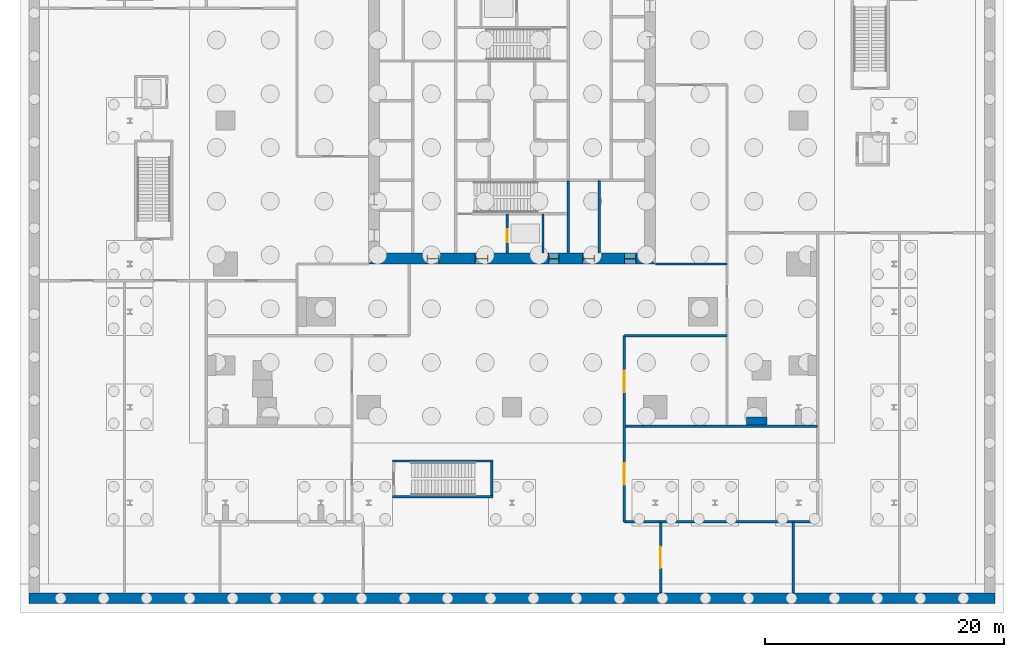
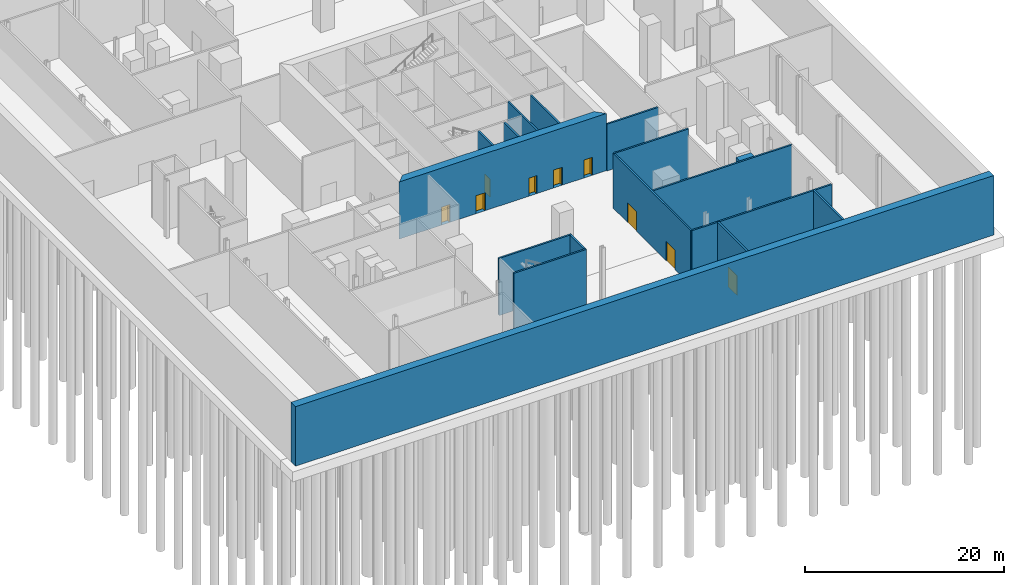
# One storey, part 6 of 15: 17 walls, 9 doors, 9 openings.
"""IFC4 building model written with IfcOpenShell, lengths in metres."""

from ifc_helpers import new_model, si_unit, direction, frame, frame_2d, origin, place, context, subcontext, project, spatial, polyline, rectangle, outline, extrude, material, layer, layer_set, type_object, element, fill, save


model = new_model("IFC4")

# Units and contexts
model_context = context("Model", 3, precision=1e-05, world=origin(), true_north=direction((0.0, 1.0)))
body_context = subcontext(model_context, "Body", "Model", "MODEL_VIEW")
ifc_project = project(units=[si_unit("LENGTHUNIT", "METRE"), si_unit("AREAUNIT", "SQUARE_METRE"), si_unit("VOLUMEUNIT", "CUBIC_METRE"), si_unit("PLANEANGLEUNIT", "RADIAN"), si_unit("MASSUNIT", "GRAM", prefix="KILO")], contexts=[model_context])

# Site, building, storey
site_placement = place(None, origin())
site = spatial("IfcSite", under=ifc_project, at=site_placement, CompositionType="ELEMENT")
building_placement = place(site_placement, origin())
building = spatial("IfcBuilding", under=site, at=building_placement, Name="Fenwick Lantern Interchange", CompositionType="ELEMENT")
storey_placement = place(building_placement, frame((0.0, 0.0, -7.0)))
storey = spatial("IfcBuildingStorey", under=building, at=storey_placement, Name="B-1", CompositionType="ELEMENT", Elevation=-7.0)

# Walls
ifc_material_1 = material(Name="Concrete f'c 45 MPa", Category="concrete")
ifc_layer_1 = layer(ifc_material_1, 0.89990234375)
ifc_layer_set_1 = layer_set([ifc_layer_1], Name="BASEMENT RETAINING WALL 900")
wall_type_1 = type_object("IfcWallType", Name="BASEMENT RETAINING WALL 900", PredefinedType="SOLIDWALL", material=ifc_layer_set_1)
wall_1_placement = place(storey_placement, frame((-15.449951171875, -15.0, -0.60009765625), z_axis=(0.0, 0.0, 1.0), x_axis=(1.0, 0.0, 0.0)))
element("IfcWall", 1, at=wall_1_placement, inside=storey, type_object=wall_type_1, Name="B-1/RW/S", PredefinedType="SOLIDWALL", context=body_context, shape_type="SweptSolid", body=[
    extrude(rectangle(XDim=80.89990234375, YDim=0.89990234375, at=frame_2d((40.449951171875, 0.0))), origin(), (0.0, 0.0, 1.0), 7.300048828125),
])
ifc_material_2 = material(Name="Fire-rated gypsum board encasement on steel studs, 2 hour", Category="steel")
ifc_layer_2 = layer(ifc_material_2, 1.699951171875)
ifc_layer_set_2 = layer_set([ifc_layer_2], Name="COLUMN PIER 1700")
wall_type_2 = type_object("IfcWallType", Name="COLUMN PIER 1700", PredefinedType="PARTITIONING", material=ifc_layer_set_2)
wall_2_placement = place(storey_placement, frame((45.5, -0.5, 0.0), z_axis=(0.0, 0.0, 1.0), x_axis=(0.0, 1.0, 0.0)))
element("IfcWall", 2, at=wall_2_placement, inside=storey, type_object=wall_type_2, Name="B-1/W/PIER/CS5", PredefinedType="PARTITIONING", context=body_context, shape_type="SweptSolid", body=[
    extrude(rectangle(XDim=0.699951171875, YDim=1.699951171875, at=frame_2d((0.35009765625, 0.0))), origin(), (0.0, 0.0, 1.0), 6.699951171875),
])

# Wall, opening, door
ifc_material_3 = material(Name="Concrete masonry ASTM C90 Grade N", Category="masonry")
ifc_layer_3 = layer(ifc_material_3, 0.199951171875)
ifc_layer_set_3 = layer_set([ifc_layer_3], Name="Concrete masonry ASTM C90 Grade N")
wall_type_3 = type_object("IfcWallType", Name="CORE PARTITION 200", PredefinedType="PARTITIONING", material=ifc_layer_set_3)
wall_3_placement = place(storey_placement, frame((24.60009765625, 13.89990234375, 0.0), z_axis=(0.0, 0.0, 1.0), x_axis=(0.0, 1.0, 0.0)))
wall_3 = element("IfcWall", 3, at=wall_3_placement, inside=storey, type_object=wall_type_3, Name="B-1/W/CORES/h1", PredefinedType="PARTITIONING", context=body_context, shape_type="SweptSolid", body=[
    extrude(rectangle(XDim=3.300048828125, YDim=0.199951171875, at=frame_2d((1.64990234375, 0.0))), origin(), (0.0, 0.0, 1.0), 6.699951171875),
])
opening_1_placement = place(wall_3_placement, frame((0.89990234375, 0.0, 0.0)))
opening_1 = element("IfcOpeningElement", 4, at=opening_1_placement, cuts=wall_3, Name="Opening LD-FL1", PredefinedType="OPENING", context=body_context, shape_type="SweptSolid", body=[
    extrude(rectangle(XDim=1.10009765625, YDim=2.199951171875, at=frame_2d((0.550048828125, 1.10009765625))), frame((0.0, 0.10986328125, 0.0), z_axis=(0.0, -1.0, 0.0), x_axis=(1.0, 0.0, 0.0)), (0.0, 0.0, 1.0), 0.219970703125),
])
ifc_material_4 = material(Name="Steel door and frame", Category="steel")
door_type_1 = type_object("IfcDoorType", Name="LIFT LANDING DOOR 1100 X 2200", OperationType="DOUBLE_DOOR_SLIDING", PredefinedType="DOOR", material=ifc_material_4)
door_1_placement = place(opening_1_placement, origin())
door_1 = element("IfcDoor", 5, at=door_1_placement, inside=storey, type_object=door_type_1, Name="Lift landing door FL1", OperationType="DOUBLE_DOOR_SLIDING", OverallHeight=2.199951171875, OverallWidth=1.10009765625, PredefinedType="DOOR", context=body_context, shape_type="SweptSolid", body=[
    extrude(rectangle(XDim=1.10009765625, YDim=2.199951171875, at=frame_2d((0.550048828125, 1.10009765625))), frame((0.0, 0.02490234375, 0.0), z_axis=(0.0, -1.0, 0.0), x_axis=(1.0, 0.0, 0.0)), (0.0, 0.0, 1.0), 0.050048828125),
])
fill(opening_1, door_1)

# Walls
wall_4_placement = place(storey_placement, frame((27.60009765625, 13.89990234375, 0.0), z_axis=(0.0, 0.0, 1.0), x_axis=(0.0, 1.0, 0.0)))
element("IfcWall", 6, at=wall_4_placement, inside=storey, type_object=wall_type_3, Name="B-1/W/CORES/h2", PredefinedType="PARTITIONING", context=body_context, shape_type="SweptSolid", body=[
    extrude(rectangle(XDim=3.300048828125, YDim=0.199951171875, at=frame_2d((1.64990234375, 0.0))), origin(), (0.0, 0.0, 1.0), 6.699951171875),
])
wall_5_placement = place(storey_placement, frame((32.300048828125, 13.89990234375, 0.0), z_axis=(0.0, 0.0, 1.0), x_axis=(0.0, 1.0, 0.0)))
element("IfcWall", 7, at=wall_5_placement, inside=storey, type_object=wall_type_3, Name="B-1/W/CORES/i2", PredefinedType="PARTITIONING", context=body_context, shape_type="SweptSolid", body=[
    extrude(rectangle(XDim=6.10009765625, YDim=0.199951171875, at=frame_2d((3.050048828125, 0.0))), origin(), (0.0, 0.0, 1.0), 6.699951171875),
])

# Wall, openings, doors
ifc_material_5 = material(Name="Concrete f'c 70 MPa", Category="concrete")
ifc_layer_4 = layer(ifc_material_5, 0.89990234375)
ifc_layer_set_4 = layer_set([ifc_layer_4], Name="CORE WALL 900")
wall_type_4 = type_object("IfcWallType", Name="CORE WALL 900", PredefinedType="SHEAR", material=ifc_layer_set_4)
wall_6_placement = place(storey_placement, frame((13.0, 13.449951171875, 0.0), z_axis=(0.0, 0.0, 1.0), x_axis=(1.0, 0.0, 0.0)))
wall_6 = element("IfcWall", 8, at=wall_6_placement, inside=storey, type_object=wall_type_4, Name="B-1/CORE/S", PredefinedType="SHEAR", context=body_context, shape_type="SweptSolid", body=[
    extrude(outline(polyline([(0.0, -0.449951171875), (24.0, -0.449951171875), (23.10009765625, 0.449951171875), (0.89990234375, 0.449951171875), (0.0, -0.449951171875)])), origin(), (0.0, 0.0, 1.0), 7.0),
])
opening_2_placement = place(wall_6_placement, frame((4.89990234375, 0.0, 0.0)))
opening_2 = element("IfcOpeningElement", 9, at=opening_2_placement, cuts=wall_6, Name="Opening B-1-D001", PredefinedType="OPENING", context=body_context, shape_type="SweptSolid", body=[
    extrude(rectangle(XDim=1.0, YDim=2.199951171875, at=frame_2d((0.5, 1.10009765625))), frame((0.0, 0.4599609375, 0.0), z_axis=(0.0, -1.0, 0.0), x_axis=(1.0, 0.0, 0.0)), (0.0, 0.0, 1.0), 0.919921875),
])
opening_3_placement = place(wall_6_placement, frame((8.89990234375, 0.0, 0.0)))
opening_3 = element("IfcOpeningElement", 10, at=opening_3_placement, cuts=wall_6, Name="Opening B-1-D002", PredefinedType="OPENING", context=body_context, shape_type="SweptSolid", body=[
    extrude(rectangle(XDim=1.10009765625, YDim=2.199951171875, at=frame_2d((0.550048828125, 1.10009765625))), frame((0.0, 0.4599609375, 0.0), z_axis=(0.0, -1.0, 0.0), x_axis=(1.0, 0.0, 0.0)), (0.0, 0.0, 1.0), 0.919921875),
])
opening_4_placement = place(wall_6_placement, frame((15.050048828125, 0.0, 0.0)))
opening_4 = element("IfcOpeningElement", 11, at=opening_4_placement, cuts=wall_6, Name="Opening B-1-D004", PredefinedType="OPENING", context=body_context, shape_type="SweptSolid", body=[
    extrude(rectangle(XDim=0.89990234375, YDim=2.199951171875, at=frame_2d((0.449951171875, 1.10009765625))), frame((0.0, 0.4599609375, 0.0), z_axis=(0.0, -1.0, 0.0), x_axis=(1.0, 0.0, 0.0)), (0.0, 0.0, 1.0), 0.919921875),
])
opening_5_placement = place(wall_6_placement, frame((17.89990234375, 0.0, 0.0)))
opening_5 = element("IfcOpeningElement", 12, at=opening_5_placement, cuts=wall_6, Name="Opening B-1-D005", PredefinedType="OPENING", context=body_context, shape_type="SweptSolid", body=[
    extrude(rectangle(XDim=1.0, YDim=2.199951171875, at=frame_2d((0.5, 1.10009765625))), frame((0.0, 0.4599609375, 0.0), z_axis=(0.0, -1.0, 0.0), x_axis=(1.0, 0.0, 0.0)), (0.0, 0.0, 1.0), 0.919921875),
])
opening_6_placement = place(wall_6_placement, frame((21.39990234375, 0.0, 0.0)))
opening_6 = element("IfcOpeningElement", 13, at=opening_6_placement, cuts=wall_6, Name="Opening B-1-D006", PredefinedType="OPENING", context=body_context, shape_type="SweptSolid", body=[
    extrude(rectangle(XDim=1.0, YDim=2.199951171875, at=frame_2d((0.5, 1.10009765625))), frame((0.0, 0.4599609375, 0.0), z_axis=(0.0, -1.0, 0.0), x_axis=(1.0, 0.0, 0.0)), (0.0, 0.0, 1.0), 0.919921875),
])
door_type_2 = type_object("IfcDoorType", Name="CORE LOBBY DOOR 1000 X 2200", OperationType="SINGLE_SWING_LEFT", PredefinedType="DOOR", material=ifc_material_4)
door_2_placement = place(opening_2_placement, origin())
door_2 = element("IfcDoor", 14, at=door_2_placement, inside=storey, type_object=door_type_2, Name="Core lobby door", OperationType="SINGLE_SWING_LEFT", OverallHeight=2.199951171875, OverallWidth=1.0, PredefinedType="DOOR", context=body_context, shape_type="SweptSolid", body=[
    extrude(rectangle(XDim=1.0, YDim=2.199951171875, at=frame_2d((0.5, 1.10009765625))), frame((0.0, 0.02490234375, 0.0), z_axis=(0.0, -1.0, 0.0), x_axis=(1.0, 0.0, 0.0)), (0.0, 0.0, 1.0), 0.050048828125),
    extrude(outline(polyline([(0.0, 0.0), (0.0400390625, 0.0), (0.0400390625, 2.159912109375), (0.9599609375, 2.159912109375), (0.9599609375, 0.0), (1.0, 0.0), (1.0, 2.199951171875), (0.0, 2.199951171875), (0.0, 0.0)])), frame((0.0, 0.300048828125, 0.0), z_axis=(0.0, -1.0, 0.0), x_axis=(1.0, 0.0, 0.0)), (0.0, 0.0, 1.0), 0.60009765625),
])
fill(opening_2, door_2)
door_type_3 = type_object("IfcDoorType", Name="FIRE LOBBY DOOR 1100 X 2200", OperationType="SINGLE_SWING_LEFT", PredefinedType="DOOR", material=ifc_material_4)
door_3_placement = place(opening_3_placement, origin())
door_3 = element("IfcDoor", 15, at=door_3_placement, inside=storey, type_object=door_type_3, Name="Fire lobby door", OperationType="SINGLE_SWING_LEFT", OverallHeight=2.199951171875, OverallWidth=1.10009765625, PredefinedType="DOOR", context=body_context, shape_type="SweptSolid", body=[
    extrude(rectangle(XDim=1.10009765625, YDim=2.199951171875, at=frame_2d((0.550048828125, 1.10009765625))), frame((0.0, 0.02490234375, 0.0), z_axis=(0.0, -1.0, 0.0), x_axis=(1.0, 0.0, 0.0)), (0.0, 0.0, 1.0), 0.050048828125),
    extrude(outline(polyline([(0.0, 0.0), (0.0400390625, 0.0), (0.0400390625, 2.159912109375), (1.06005859375, 2.159912109375), (1.06005859375, 0.0), (1.10009765625, 0.0), (1.10009765625, 2.199951171875), (0.0, 2.199951171875), (0.0, 0.0)])), frame((0.0, 0.300048828125, 0.0), z_axis=(0.0, -1.0, 0.0), x_axis=(1.0, 0.0, 0.0)), (0.0, 0.0, 1.0), 0.60009765625),
])
fill(opening_3, door_3)
door_type_4 = type_object("IfcDoorType", Name="SERVICE DOOR 900 X 2200", OperationType="SINGLE_SWING_LEFT", PredefinedType="DOOR", material=ifc_material_4)
door_4_placement = place(opening_4_placement, origin())
door_4 = element("IfcDoor", 16, at=door_4_placement, inside=storey, type_object=door_type_4, Name="Service door", OperationType="SINGLE_SWING_LEFT", OverallHeight=2.199951171875, OverallWidth=0.89990234375, PredefinedType="DOOR", context=body_context, shape_type="SweptSolid", body=[
    extrude(rectangle(XDim=0.89990234375, YDim=2.199951171875, at=frame_2d((0.449951171875, 1.10009765625))), frame((0.0, 0.02490234375, 0.0), z_axis=(0.0, -1.0, 0.0), x_axis=(1.0, 0.0, 0.0)), (0.0, 0.0, 1.0), 0.050048828125),
    extrude(outline(polyline([(0.0, 0.0), (0.0400390625, 0.0), (0.0400390625, 2.159912109375), (0.85986328125, 2.159912109375), (0.85986328125, 0.0), (0.89990234375, 0.0), (0.89990234375, 2.199951171875), (0.0, 2.199951171875), (0.0, 0.0)])), frame((0.0, 0.300048828125, 0.0), z_axis=(0.0, -1.0, 0.0), x_axis=(1.0, 0.0, 0.0)), (0.0, 0.0, 1.0), 0.60009765625),
])
fill(opening_4, door_4)
ifc_material_6 = material(Name="Hardwood door and steel frame", Category="steel")
door_type_5 = type_object("IfcDoorType", Name="WC DOOR 1000 X 2200", OperationType="SINGLE_SWING_LEFT", PredefinedType="DOOR", material=ifc_material_6)
door_5_placement = place(opening_5_placement, origin())
door_5 = element("IfcDoor", 17, at=door_5_placement, inside=storey, type_object=door_type_5, Name="Wc door", OperationType="SINGLE_SWING_RIGHT", OverallHeight=2.199951171875, OverallWidth=1.0, PredefinedType="DOOR", context=body_context, shape_type="SweptSolid", body=[
    extrude(rectangle(XDim=1.0, YDim=2.199951171875, at=frame_2d((0.5, 1.10009765625))), frame((0.0, 0.02490234375, 0.0), z_axis=(0.0, -1.0, 0.0), x_axis=(1.0, 0.0, 0.0)), (0.0, 0.0, 1.0), 0.050048828125),
    extrude(outline(polyline([(0.0, 0.0), (0.0400390625, 0.0), (0.0400390625, 2.159912109375), (0.9599609375, 2.159912109375), (0.9599609375, 0.0), (1.0, 0.0), (1.0, 2.199951171875), (0.0, 2.199951171875), (0.0, 0.0)])), frame((0.0, 0.300048828125, 0.0), z_axis=(0.0, -1.0, 0.0), x_axis=(1.0, 0.0, 0.0)), (0.0, 0.0, 1.0), 0.60009765625),
])
fill(opening_5, door_5)
door_6_placement = place(opening_6_placement, origin())
door_6 = element("IfcDoor", 18, at=door_6_placement, inside=storey, type_object=door_type_5, Name="Wc door", OperationType="SINGLE_SWING_RIGHT", OverallHeight=2.199951171875, OverallWidth=1.0, PredefinedType="DOOR", context=body_context, shape_type="SweptSolid", body=[
    extrude(rectangle(XDim=1.0, YDim=2.199951171875, at=frame_2d((0.5, 1.10009765625))), frame((0.0, 0.02490234375, 0.0), z_axis=(0.0, -1.0, 0.0), x_axis=(1.0, 0.0, 0.0)), (0.0, 0.0, 1.0), 0.050048828125),
    extrude(outline(polyline([(0.0, 0.0), (0.0400390625, 0.0), (0.0400390625, 2.159912109375), (0.9599609375, 2.159912109375), (0.9599609375, 0.0), (1.0, 0.0), (1.0, 2.199951171875), (0.0, 2.199951171875), (0.0, 0.0)])), frame((0.0, 0.300048828125, 0.0), z_axis=(0.0, -1.0, 0.0), x_axis=(1.0, 0.0, 0.0)), (0.0, 0.0, 1.0), 0.60009765625),
])
fill(opening_6, door_6)

ifc_material_7 = material(Name="Gypsum board on steel studs, 1 hour", Category="steel")
ifc_layer_5 = layer(ifc_material_7, 0.199951171875)
ifc_layer_set_5 = layer_set([ifc_layer_5], Name="ROOM WALL 200")
wall_type_5 = type_object("IfcWallType", Name="ROOM WALL 200", PredefinedType="PARTITIONING", material=ifc_layer_set_5)
wall_7_placement = place(storey_placement, frame((34.39990234375, -8.60009765625, 0.0), z_axis=(0.0, 0.0, 1.0), x_axis=(0.0, 1.0, 0.0)))
wall_7 = element("IfcWall", 19, at=wall_7_placement, inside=storey, type_object=wall_type_5, Name="B-1/W/POD/X34.4-1", PredefinedType="PARTITIONING", context=body_context, shape_type="SweptSolid", body=[
    extrude(rectangle(XDim=15.60009765625, YDim=0.199951171875, at=frame_2d((7.800048828125, 0.0))), origin(), (0.0, 0.0, 1.0), 6.699951171875),
])
opening_7_placement = place(wall_7_placement, frame((3.125, 0.0, 0.0)))
opening_7 = element("IfcOpeningElement", 20, at=opening_7_placement, cuts=wall_7, Name="Opening B-1-D028", PredefinedType="OPENING", context=body_context, shape_type="SweptSolid", body=[
    extrude(rectangle(XDim=1.800048828125, YDim=2.39990234375, at=frame_2d((0.89990234375, 1.199951171875))), frame((0.0, 0.10986328125, 0.0), z_axis=(0.0, -1.0, 0.0), x_axis=(1.0, 0.0, 0.0)), (0.0, 0.0, 1.0), 0.219970703125),
])
opening_8_placement = place(wall_7_placement, frame((10.875, 0.0, 0.0)))
opening_8 = element("IfcOpeningElement", 21, at=opening_8_placement, cuts=wall_7, Name="Opening B-1-D029", PredefinedType="OPENING", context=body_context, shape_type="SweptSolid", body=[
    extrude(rectangle(XDim=1.800048828125, YDim=2.39990234375, at=frame_2d((0.89990234375, 1.199951171875))), frame((0.0, 0.10986328125, 0.0), z_axis=(0.0, -1.0, 0.0), x_axis=(1.0, 0.0, 0.0)), (0.0, 0.0, 1.0), 0.219970703125),
])
door_type_6 = type_object("IfcDoorType", Name="ROOM DOOR PAIR 1800 X 2400", OperationType="DOUBLE_DOOR_SINGLE_SWING", PredefinedType="DOOR", material=ifc_material_4)
door_7_placement = place(opening_7_placement, origin())
door_7 = element("IfcDoor", 22, at=door_7_placement, inside=storey, type_object=door_type_6, Name="Room door pair", OperationType="DOUBLE_DOOR_SINGLE_SWING", OverallHeight=2.39990234375, OverallWidth=1.800048828125, PredefinedType="DOOR", context=body_context, shape_type="SweptSolid", body=[
    extrude(rectangle(XDim=1.800048828125, YDim=2.39990234375, at=frame_2d((0.89990234375, 1.199951171875))), frame((0.0, 0.02490234375, 0.0), z_axis=(0.0, -1.0, 0.0), x_axis=(1.0, 0.0, 0.0)), (0.0, 0.0, 1.0), 0.050048828125),
])
fill(opening_7, door_7)
door_8_placement = place(opening_8_placement, origin())
door_8 = element("IfcDoor", 23, at=door_8_placement, inside=storey, type_object=door_type_6, Name="Room door pair", OperationType="DOUBLE_DOOR_SINGLE_SWING", OverallHeight=2.39990234375, OverallWidth=1.800048828125, PredefinedType="DOOR", context=body_context, shape_type="SweptSolid", body=[
    extrude(rectangle(XDim=1.800048828125, YDim=2.39990234375, at=frame_2d((0.89990234375, 1.199951171875))), frame((0.0, 0.02490234375, 0.0), z_axis=(0.0, -1.0, 0.0), x_axis=(1.0, 0.0, 0.0)), (0.0, 0.0, 1.0), 0.050048828125),
])
fill(opening_8, door_8)

# Wall, opening, door
wall_8_placement = place(storey_placement, frame((37.449951171875, -14.550048828125, 0.0), z_axis=(0.0, 0.0, 1.0), x_axis=(0.0, 1.0, 0.0)))
wall_8 = element("IfcWall", 24, at=wall_8_placement, inside=storey, type_object=wall_type_5, Name="B-1/W/POD/X37.45-1", PredefinedType="PARTITIONING", context=body_context, shape_type="SweptSolid", body=[
    extrude(rectangle(XDim=5.949951171875, YDim=0.199951171875, at=frame_2d((2.97509765625, 0.0))), origin(), (0.0, 0.0, 1.0), 6.699951171875),
])
opening_9_placement = place(wall_8_placement, frame((2.074951171875, 0.0, 0.0)))
opening_9 = element("IfcOpeningElement", 25, at=opening_9_placement, cuts=wall_8, Name="Opening B-1-D027", PredefinedType="OPENING", context=body_context, shape_type="SweptSolid", body=[
    extrude(rectangle(XDim=1.800048828125, YDim=2.39990234375, at=frame_2d((0.89990234375, 1.199951171875))), frame((0.0, 0.10986328125, 0.0), z_axis=(0.0, -1.0, 0.0), x_axis=(1.0, 0.0, 0.0)), (0.0, 0.0, 1.0), 0.219970703125),
])
door_9_placement = place(opening_9_placement, origin())
door_9 = element("IfcDoor", 26, at=door_9_placement, inside=storey, type_object=door_type_6, Name="Room door pair", OperationType="DOUBLE_DOOR_SINGLE_SWING", OverallHeight=2.39990234375, OverallWidth=1.800048828125, PredefinedType="DOOR", context=body_context, shape_type="SweptSolid", body=[
    extrude(rectangle(XDim=1.800048828125, YDim=2.39990234375, at=frame_2d((0.89990234375, 1.199951171875))), frame((0.0, 0.02490234375, 0.0), z_axis=(0.0, -1.0, 0.0), x_axis=(1.0, 0.0, 0.0)), (0.0, 0.0, 1.0), 0.050048828125),
])
fill(opening_9, door_9)

# Walls
wall_9_placement = place(storey_placement, frame((48.550048828125, -14.550048828125, 0.0), z_axis=(0.0, 0.0, 1.0), x_axis=(0.0, 1.0, 0.0)))
element("IfcWall", 27, at=wall_9_placement, inside=storey, type_object=wall_type_5, Name="B-1/W/POD/X48.55-1", PredefinedType="PARTITIONING", context=body_context, shape_type="SweptSolid", body=[
    extrude(rectangle(XDim=5.949951171875, YDim=0.199951171875, at=frame_2d((2.97509765625, 0.0))), origin(), (0.0, 0.0, 1.0), 6.699951171875),
])
for number, where, z_axis, x_axis, name in (
    (28, (34.39990234375, -8.60009765625, 0.0), (0.0, 0.0, 1.0), (1.0, 0.0, 0.0), "B-1/W/POD/Y-8.6-2"),
    (29, (34.39990234375, -0.60009765625, 0.0), (0.0, 0.0, 1.0), (1.0, 0.0, 0.0), "B-1/W/POD/Y-0.6-2"),
):
    element("IfcWall", number, at=place(storey_placement, frame(where, z_axis=z_axis, x_axis=x_axis)), inside=storey, type_object=wall_type_5, Name=name, PredefinedType="PARTITIONING", context=body_context, shape_type="SweptSolid", body=[
        extrude(rectangle(XDim=16.2001953125, YDim=0.199951171875, at=frame_2d((8.10009765625, 0.0))), origin(), (0.0, 0.0, 1.0), 6.699951171875),
    ])
wall_10_placement = place(storey_placement, frame((34.39990234375, 7.0, 0.0), z_axis=(0.0, 0.0, 1.0), x_axis=(1.0, 0.0, 0.0)))
element("IfcWall", 30, at=wall_10_placement, inside=storey, type_object=wall_type_5, Name="B-1/W/POD/Y7-2", PredefinedType="PARTITIONING", context=body_context, shape_type="SweptSolid", body=[
    extrude(rectangle(XDim=8.60009765625, YDim=0.199951171875, at=frame_2d((4.300048828125, 0.0))), origin(), (0.0, 0.0, 1.0), 6.699951171875),
])
wall_11_placement = place(storey_placement, frame((37.0, 13.0, 0.0), z_axis=(0.0, 0.0, 1.0), x_axis=(1.0, 0.0, 0.0)))
element("IfcWall", 31, at=wall_11_placement, inside=storey, type_object=wall_type_5, Name="B-1/W/POD/Y13-2", PredefinedType="PARTITIONING", context=body_context, shape_type="SweptSolid", body=[
    extrude(rectangle(XDim=6.0, YDim=0.199951171875, at=frame_2d((3.0, 0.0))), origin(), (0.0, 0.0, 1.0), 5.724609375),
])
ifc_layer_6 = layer(ifc_material_1, 0.199951171875)
ifc_layer_set_6 = layer_set([ifc_layer_6], Name="STAIR CORE WALL 200")
wall_type_6 = type_object("IfcWallType", Name="STAIR CORE WALL 200", PredefinedType="SOLIDWALL", material=ifc_layer_set_6)
wall_12_placement = place(storey_placement, frame((29.699951171875, 13.89990234375, 0.0), z_axis=(0.0, 0.0, 1.0), x_axis=(0.0, 1.0, 0.0)))
element("IfcWall", 32, at=wall_12_placement, inside=storey, type_object=wall_type_6, Name="B-1/W/CORES/i1", PredefinedType="SOLIDWALL", context=body_context, shape_type="SweptSolid", body=[
    extrude(rectangle(XDim=6.10009765625, YDim=0.199951171875, at=frame_2d((3.050048828125, 0.0))), origin(), (0.0, 0.0, 1.0), 6.800048828125),
])
ifc_material_8 = material(Name="Reinforced concrete masonry ASTM C90 Grade N", Category="masonry")
ifc_layer_7 = layer(ifc_material_8, 0.199951171875)
ifc_layer_set_7 = layer_set([ifc_layer_7], Name="Reinforced concrete masonry ASTM C90 Grade N")
wall_type_7 = type_object("IfcWallType", Name="STAIR ENCLOSURE 200", PredefinedType="SOLIDWALL", material=ifc_layer_set_7)
wall_13_placement = place(storey_placement, frame((15.0, -6.5, 0.0), z_axis=(0.0, 0.0, 1.0), x_axis=(1.0, 0.0, 0.0)))
element("IfcWall", 33, at=wall_13_placement, inside=storey, type_object=wall_type_7, Name="B-1/W/PS2/S", PredefinedType="SOLIDWALL", context=body_context, shape_type="SweptSolid", body=[
    extrude(rectangle(XDim=8.39990234375, YDim=0.199951171875, at=frame_2d((4.199951171875, 0.0))), origin(), (0.0, 0.0, 1.0), 7.0),
])
wall_14_placement = place(storey_placement, frame((23.300048828125, -6.39990234375, 0.0), z_axis=(0.0, 0.0, 1.0), x_axis=(0.0, 1.0, 0.0)))
element("IfcWall", 34, at=wall_14_placement, inside=storey, type_object=wall_type_7, Name="B-1/W/PS2/E", PredefinedType="SOLIDWALL", context=body_context, shape_type="SweptSolid", body=[
    extrude(rectangle(XDim=2.7998046875, YDim=0.199951171875, at=frame_2d((1.39990234375, 0.0))), origin(), (0.0, 0.0, 1.0), 7.0),
])
wall_15_placement = place(storey_placement, frame((23.39990234375, -3.5, 0.0), z_axis=(0.0, 0.0, 1.0), x_axis=(-1.0, 0.0, 0.0)))
element("IfcWall", 35, at=wall_15_placement, inside=storey, type_object=wall_type_7, Name="B-1/W/PS2/N", PredefinedType="SOLIDWALL", context=body_context, shape_type="SweptSolid", body=[
    extrude(rectangle(XDim=8.39990234375, YDim=0.199951171875, at=frame_2d((4.199951171875, 0.0))), origin(), (0.0, 0.0, 1.0), 7.0),
])

save(model, "model.ifc")
